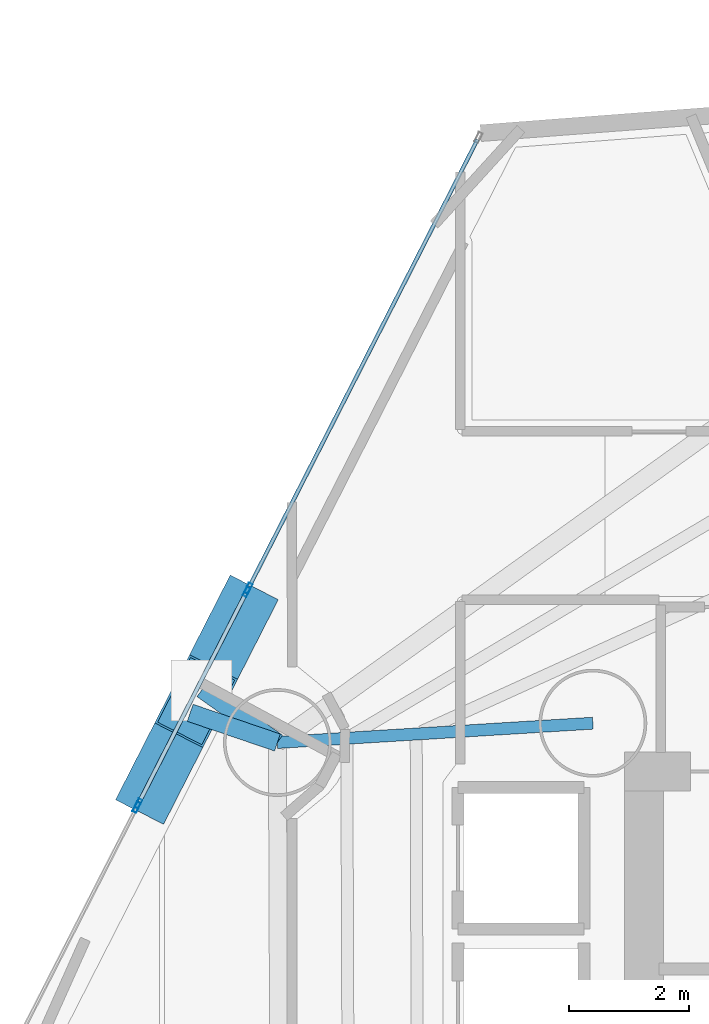
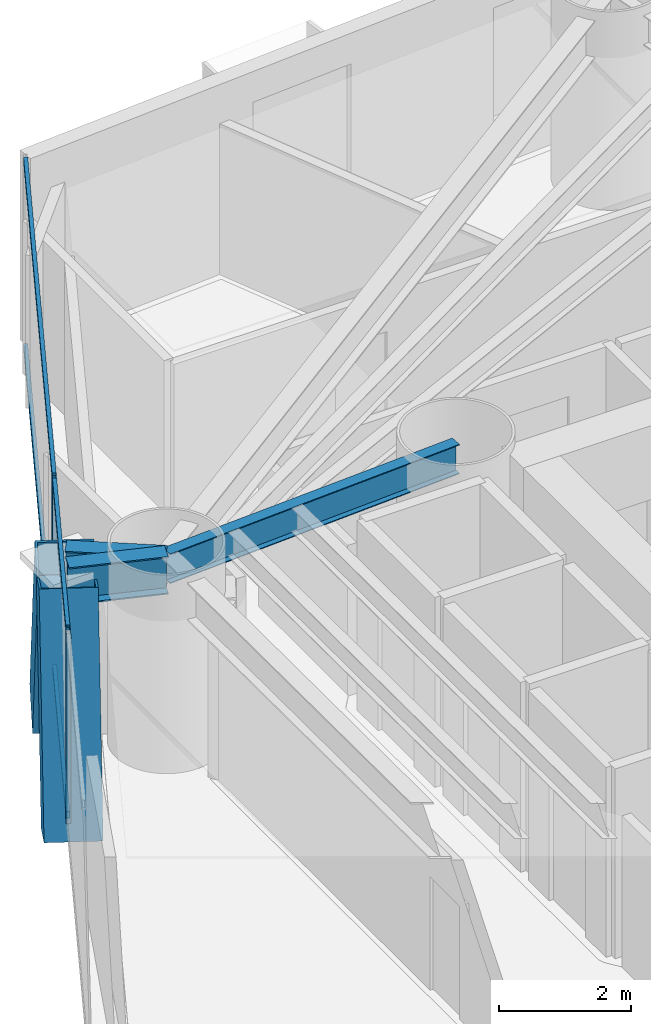
# One storey, part 7 of 23: 10 members, 3 beams, 3 elements without a shape of their own.
"""IFC4 building model written with IfcOpenShell, lengths in metres."""

from ifc_helpers import new_model, si_unit, direction, frame, origin, origin_2d, place, context, subcontext, project, spatial, hollow_rectangle, i_section, extrude, material, layer, layer_set, material_profile, profile_set, type_object, element, aggregate, save


model = new_model("IFC4")

# Units and contexts
model_context = context("Model", 3, precision=1e-05, world=origin(), true_north=direction((0.0, 1.0)))
body_context = subcontext(model_context, "Body", "Model", "MODEL_VIEW")
ifc_project = project(units=[si_unit("LENGTHUNIT", "METRE"), si_unit("AREAUNIT", "SQUARE_METRE"), si_unit("VOLUMEUNIT", "CUBIC_METRE"), si_unit("PLANEANGLEUNIT", "RADIAN"), si_unit("MASSUNIT", "GRAM", prefix="KILO")], contexts=[model_context])

# Site, building, storey
site_placement = place(None, origin())
site = spatial("IfcSite", under=ifc_project, at=site_placement, CompositionType="ELEMENT")
building_placement = place(site_placement, origin())
building = spatial("IfcBuilding", under=site, at=building_placement, Name="Qianvela Tower", CompositionType="ELEMENT")
storey_placement = place(building_placement, frame((0.0, 0.0, 29.39990234375)))
storey = spatial("IfcBuildingStorey", under=building, at=storey_placement, Name="L06", CompositionType="ELEMENT", Elevation=29.39990234375)

# Beams
ifc_material_1 = material(Name="Steel Q355B", Category="steel")
ifc_material_profile_1 = material_profile(ifc_material_1, i_section(OverallWidth=0.199951171875, OverallDepth=0.550048828125, WebThickness=0.010009765625, FlangeThickness=0.01611328125, at=origin_2d()), Name="HN550x200x10x16")
ifc_profile_set_1 = profile_set([ifc_material_profile_1], Name="Steel Q355B")
beam_type_1 = type_object("IfcBeamType", Name="BM-HN550-GIRD", PredefinedType="BEAM", material=ifc_profile_set_1)
beam_1_placement = place(storey_placement, frame((28.60009765625, 33.550048828125, 3.2431640625), z_axis=(-0.998132820146, -0.061080875465, 0.0), x_axis=(0.061080875465, -0.998132820146, 0.0)))
element("IfcBeam", 1, at=beam_1_placement, inside=storey, type_object=beam_type_1, Name="L06 Radial Primary Floor Girder 4", PredefinedType="BEAM", context=body_context, shape_type="SweptSolid", body=[
    extrude(i_section(OverallWidth=0.199951171875, OverallDepth=0.550048828125, WebThickness=0.010009765625, FlangeThickness=0.01611328125, at=origin_2d()), origin(), (0.0, 0.0, 1.0), 5.27197265625),
])
ifc_material_2 = material(Name="Steel Q355B", Category="steel")
ifc_material_profile_2 = material_profile(ifc_material_2, i_section(OverallWidth=0.300048828125, OverallDepth=0.699951171875, WebThickness=0.012939453125, FlangeThickness=0.02392578125, at=origin_2d()), Name="HN700x300x13x24")
ifc_profile_set_2 = profile_set([ifc_material_profile_2], Name="Steel Q355B")
beam_type_2 = type_object("IfcBeamType", Name="BM-HN700-SPAND", PredefinedType="SPANDREL", material=ifc_profile_set_2)
beam_2_placement = place(storey_placement, frame((23.337890625, 33.22802734375, 3.168212890625), z_axis=(-0.816377262248, 0.577518974306, 0.0), x_axis=(-0.577518974306, -0.816377262248, 0.0)))
element("IfcBeam", 2, at=beam_2_placement, inside=storey, type_object=beam_type_2, Name="L06 Mega-Brace Column Tie Bracket F2-1", PredefinedType="SPANDREL", context=body_context, shape_type="SweptSolid", body=[
    extrude(i_section(OverallWidth=0.300048828125, OverallDepth=0.699951171875, WebThickness=0.012939453125, FlangeThickness=0.02392578125, at=origin_2d()), origin(), (0.0, 0.0, 1.0), 1.5361328125),
])
beam_3_placement = place(storey_placement, frame((23.337890625, 33.22802734375, 3.168212890625), z_axis=(-0.946597290393, 0.322418314958, 0.0), x_axis=(-0.322418314958, -0.946597290393, 0.0)))
element("IfcBeam", 3, at=beam_3_placement, inside=storey, type_object=beam_type_2, Name="L06 Mega-Brace Column Tie Bracket F2-2", PredefinedType="SPANDREL", context=body_context, shape_type="SweptSolid", body=[
    extrude(i_section(OverallWidth=0.300048828125, OverallDepth=0.699951171875, WebThickness=0.012939453125, FlangeThickness=0.02392578125, at=origin_2d()), origin(), (0.0, 0.0, 1.0), 1.536376953125),
])

# Curtain wall, members
ifc_material_3 = material(Name="Anodised Architectural Aluminium and Insulated Spandrel Panel", Category="aluminium")
ifc_layer_1 = layer(ifc_material_3, 0.179931640625)
ifc_layer_set_1 = layer_set([ifc_layer_1], Name="Anodised Architectural Aluminium and Insulated Spandrel Panel")
curtain_wall_type_1 = type_object("IfcCurtainWallType", Name="CW-BRACEBAY", PredefinedType="USERDEFINED", material=ifc_layer_set_1)
curtain_wall_1_placement = place(storey_placement, origin())
curtain_wall_1 = element("IfcCurtainWall", 4, at=curtain_wall_1_placement, inside=storey, type_object=curtain_wall_type_1, Name="L06 CW-BRACEBAY Curtain Wall 04B", ObjectType="CURTAIN_WALL_SYSTEM", PredefinedType="USERDEFINED")
ifc_material_4 = material(Name="Anodised Architectural Aluminium 6063-T6", Category="aluminium")
ifc_material_profile_3 = material_profile(ifc_material_4, hollow_rectangle(XDim=0.06494140625, YDim=0.159912109375, WallThickness=0.0048828125, at=origin_2d()), Name="ALU-MULL-65x160")
ifc_profile_set_3 = profile_set([ifc_material_profile_3], Name="Anodised Architectural Aluminium 6063-T6")
member_type_1 = type_object("IfcMemberType", Name="CW-BRACEBAY-MULL", PredefinedType="MULLION", material=ifc_profile_set_3)
member_1_placement = place(storey_placement, frame((22.8232421875, 35.740234375, 0.0), z_axis=(0.0, 0.0, 1.0), x_axis=(0.890689286766, -0.454612576201, 0.0)))
member_1 = element("IfcMember", 5, at=member_1_placement, type_object=member_type_1, Name="CW-9 mullion 1", PredefinedType="MULLION", context=body_context, shape_type="SweptSolid", body=[
    extrude(hollow_rectangle(XDim=0.06494140625, YDim=0.159912109375, WallThickness=0.0048828125, at=origin_2d()), origin(), (0.0, 0.0, 1.0), 3.52001953125),
])
member_2_placement = place(storey_placement, frame((21.020751953125, 32.20849609375, 0.0), z_axis=(0.0, 0.0, 1.0), x_axis=(0.890689286766, -0.454612576201, 0.0)))
member_2 = element("IfcMember", 6, at=member_2_placement, type_object=member_type_1, Name="CW-9 mullion 2", PredefinedType="MULLION", context=body_context, shape_type="SweptSolid", body=[
    extrude(hollow_rectangle(XDim=0.06494140625, YDim=0.159912109375, WallThickness=0.0048828125, at=origin_2d()), origin(), (0.0, 0.0, 1.0), 3.52001953125),
])
ifc_material_5 = material(Name="Anodised Architectural Aluminium 6063-T6", Category="aluminium")
ifc_material_profile_4 = material_profile(ifc_material_5, hollow_rectangle(XDim=0.06494140625, YDim=0.1298828125, WallThickness=0.00439453125, at=origin_2d()), Name="ALU-TRAN-65x130")
ifc_profile_set_4 = profile_set([ifc_material_profile_4], Name="Anodised Architectural Aluminium 6063-T6")
member_type_2 = type_object("IfcMemberType", Name="CW-BRACEBAY-TRAN", PredefinedType="USERDEFINED", material=ifc_profile_set_4)
member_3_placement = place(storey_placement, frame((22.808349609375, 35.711181640625, 0.03271484375), z_axis=(-0.454610226898, -0.890690485859, 0.0), x_axis=(0.890690485859, -0.454610226898, 0.0)))
member_3 = element("IfcMember", 7, at=member_3_placement, type_object=member_type_2, Name="CW-9 transom 1.1", ObjectType="TRANSOM", PredefinedType="USERDEFINED", context=body_context, shape_type="SweptSolid", body=[
    extrude(hollow_rectangle(XDim=0.06494140625, YDim=0.1298828125, WallThickness=0.00439453125, at=origin_2d()), origin(), (0.0, 0.0, 1.0), 3.89990234375),
])
member_4_placement = place(storey_placement, frame((22.808349609375, 35.711181640625, 3.487548828125), z_axis=(-0.454610226898, -0.890690485859, 0.0), x_axis=(0.890690485859, -0.454610226898, 0.0)))
member_4 = element("IfcMember", 8, at=member_4_placement, type_object=member_type_2, Name="CW-9 transom 1.2", ObjectType="TRANSOM", PredefinedType="USERDEFINED", context=body_context, shape_type="SweptSolid", body=[
    extrude(hollow_rectangle(XDim=0.06494140625, YDim=0.1298828125, WallThickness=0.00439453125, at=origin_2d()), origin(), (0.0, 0.0, 1.0), 3.89990234375),
])
aggregate(curtain_wall_1, [member_1, member_2, member_3, member_4])

# Curtain wall, member
ifc_material_6 = material(Name="Anodised Architectural Aluminium and Low-E Glass", Category="aluminium")
ifc_layer_2 = layer(ifc_material_6, 0.179931640625)
ifc_layer_set_2 = layer_set([ifc_layer_2], Name="Anodised Architectural Aluminium and Low-E Glass")
curtain_wall_type_2 = type_object("IfcCurtainWallType", Name="CW-COLIV-Z12", PredefinedType="USERDEFINED", material=ifc_layer_set_2)
curtain_wall_2_placement = place(storey_placement, origin())
curtain_wall_2 = element("IfcCurtainWall", 9, at=curtain_wall_2_placement, inside=storey, type_object=curtain_wall_type_2, Name="L06 CW-COLIV-Z12 Curtain Wall 04A", ObjectType="CURTAIN_WALL_SYSTEM", PredefinedType="USERDEFINED")
ifc_material_7 = material(Name="Anodised Architectural Aluminium 6063-T6", Category="aluminium")
ifc_material_profile_5 = material_profile(ifc_material_7, hollow_rectangle(XDim=0.070068359375, YDim=0.179931640625, WallThickness=0.0048828125, at=origin_2d()), Name="ALU-MULL-70x180")
ifc_profile_set_5 = profile_set([ifc_material_profile_5], Name="Anodised Architectural Aluminium 6063-T6")
member_type_3 = type_object("IfcMemberType", Name="CW-COLIV-Z12-MULL", PredefinedType="MULLION", material=ifc_profile_set_5)
member_5_placement = place(storey_placement, frame((22.85400390625, 35.80029296875, 0.0), z_axis=(0.0, 0.0, 1.0), x_axis=(0.890687881398, -0.454615329626, 0.0)))
member_5 = element("IfcMember", 10, at=member_5_placement, type_object=member_type_3, Name="CW-3 mullion 2", PredefinedType="MULLION", context=body_context, shape_type="SweptSolid", body=[
    extrude(hollow_rectangle(XDim=0.070068359375, YDim=0.179931640625, WallThickness=0.0048828125, at=origin_2d()), origin(), (0.0, 0.0, 1.0), 3.52001953125),
])

curtain_wall_3_placement = place(storey_placement, origin())
curtain_wall_3 = element("IfcCurtainWall", 11, at=curtain_wall_3_placement, inside=storey, type_object=curtain_wall_type_2, Name="L06 CW-COLIV-Z12 Curtain Wall 04C", ObjectType="CURTAIN_WALL_SYSTEM", PredefinedType="USERDEFINED")
member_6_placement = place(storey_placement, frame((20.989990234375, 32.1484375, 0.0), z_axis=(0.0, 0.0, 1.0), x_axis=(0.89068707927, -0.45461690116, 0.0)))
member_6 = element("IfcMember", 12, at=member_6_placement, type_object=member_type_3, Name="CW-3 mullion 1", PredefinedType="MULLION", context=body_context, shape_type="SweptSolid", body=[
    extrude(hollow_rectangle(XDim=0.070068359375, YDim=0.179931640625, WallThickness=0.0048828125, at=origin_2d()), origin(), (0.0, 0.0, 1.0), 3.52001953125),
])
aggregate(curtain_wall_3, [member_6])

# Member
ifc_material_8 = material(Name="Anodised Architectural Aluminium 6063-T6", Category="aluminium")
ifc_material_profile_6 = material_profile(ifc_material_8, hollow_rectangle(XDim=0.06494140625, YDim=0.1298828125, WallThickness=0.00439453125, at=origin_2d()), Name="ALU-TRAN-65x130")
ifc_profile_set_6 = profile_set([ifc_material_profile_6], Name="Anodised Architectural Aluminium 6063-T6")
member_type_4 = type_object("IfcMemberType", Name="CW-COLIV-Z12-TRAN", PredefinedType="USERDEFINED", material=ifc_profile_set_6)
member_7_placement = place(storey_placement, frame((26.675048828125, 43.28662109375, 0.03271484375), z_axis=(-0.454618645027, -0.890686189179, 0.0), x_axis=(0.890686189179, -0.454618645027, 0.0)))
member_7 = element("IfcMember", 13, at=member_7_placement, type_object=member_type_4, Name="CW-3 transom 1.1", ObjectType="TRANSOM", PredefinedType="USERDEFINED", context=body_context, shape_type="SweptSolid", body=[
    extrude(hollow_rectangle(XDim=0.06494140625, YDim=0.1298828125, WallThickness=0.00439453125, at=origin_2d()), origin(), (0.0, 0.0, 1.0), 8.3701171875),
])

member_8_placement = place(storey_placement, frame((26.675048828125, 43.28662109375, 3.487548828125), z_axis=(-0.454618645027, -0.890686189179, 0.0), x_axis=(0.890686189179, -0.454618645027, 0.0)))
member_8 = element("IfcMember", 14, at=member_8_placement, type_object=member_type_4, Name="CW-3 transom 1.2", ObjectType="TRANSOM", PredefinedType="USERDEFINED", context=body_context, shape_type="SweptSolid", body=[
    extrude(hollow_rectangle(XDim=0.06494140625, YDim=0.1298828125, WallThickness=0.00439453125, at=origin_2d()), origin(), (0.0, 0.0, 1.0), 8.3701171875),
])

aggregate(curtain_wall_2, [member_5, member_7, member_8])

# Members
ifc_material_9 = material(Name="Steel Q420GJC", Category="steel")
ifc_material_profile_7 = material_profile(ifc_material_9, hollow_rectangle(XDim=0.89990234375, YDim=0.89990234375, WallThickness=0.035888671875, at=origin_2d()), Name="MBOX-900x900x36")
ifc_profile_set_7 = profile_set([ifc_material_profile_7], Name="Steel Q420GJC")
member_type_5 = type_object("IfcMemberType", Name="MBR-MBRACE-900", PredefinedType="BRACE", material=ifc_profile_set_7)
member_9_placement = place(storey_placement, frame((22.761962890625, 35.444091796875, -0.531982421875), z_axis=(-0.169995600929, -0.333076334002, 0.927449002044), x_axis=(0.890698318949, -0.454594879669, 0.0)))
element("IfcMember", 15, at=member_9_placement, inside=storey, type_object=member_type_5, Name="L06 Tier 1 Exterior Mega-Brace F2A", PredefinedType="BRACE", context=body_context, shape_type="SweptSolid", body=[
    extrude(hollow_rectangle(XDim=0.89990234375, YDim=0.89990234375, WallThickness=0.035888671875, at=origin_2d()), origin(), (0.0, 0.0, 1.0), 3.98974609375),
])
member_10_placement = place(storey_placement, frame((21.2294921875, 32.44140625, -0.531982421875), z_axis=(0.164739344301, 0.322898953686, 0.931985629797), x_axis=(-0.890767475645, 0.454459353885, 0.0)))
element("IfcMember", 16, at=member_10_placement, inside=storey, type_object=member_type_5, Name="L06 Tier 1 Exterior Mega-Brace F2B", PredefinedType="BRACE", context=body_context, shape_type="SweptSolid", body=[
    extrude(hollow_rectangle(XDim=0.89990234375, YDim=0.89990234375, WallThickness=0.035888671875, at=origin_2d()), origin(), (0.0, 0.0, 1.0), 3.97021484375),
])

save(model, "model.ifc")
